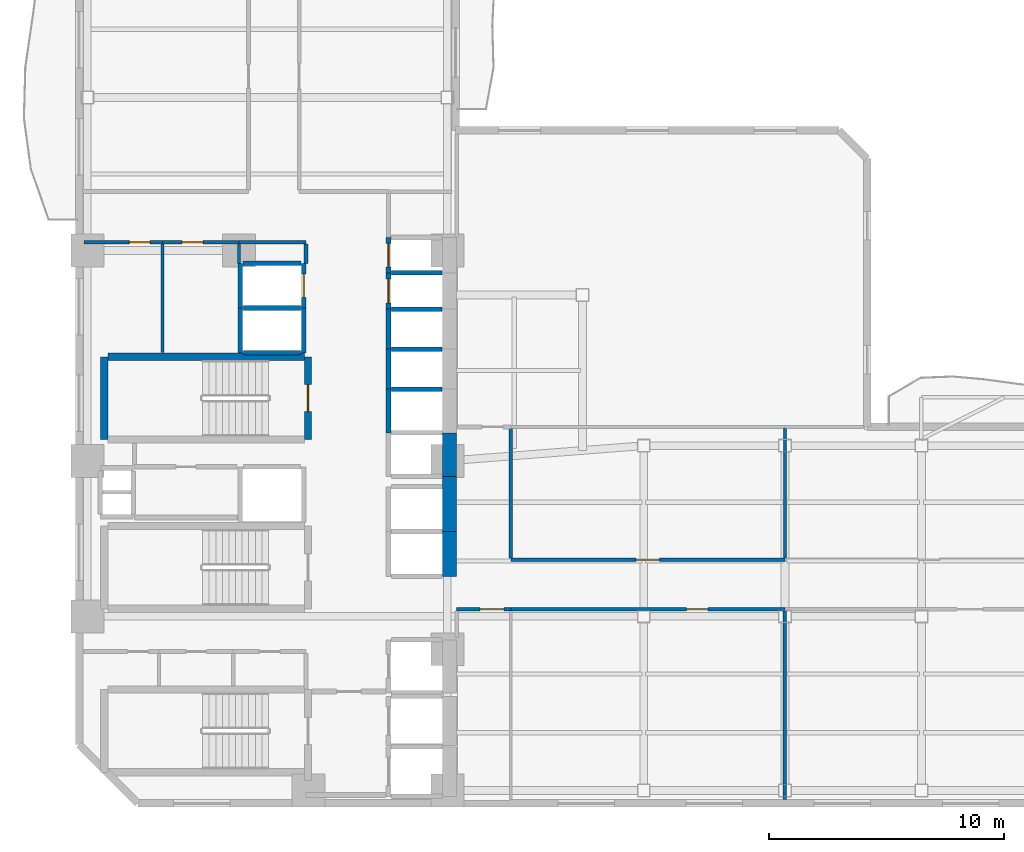
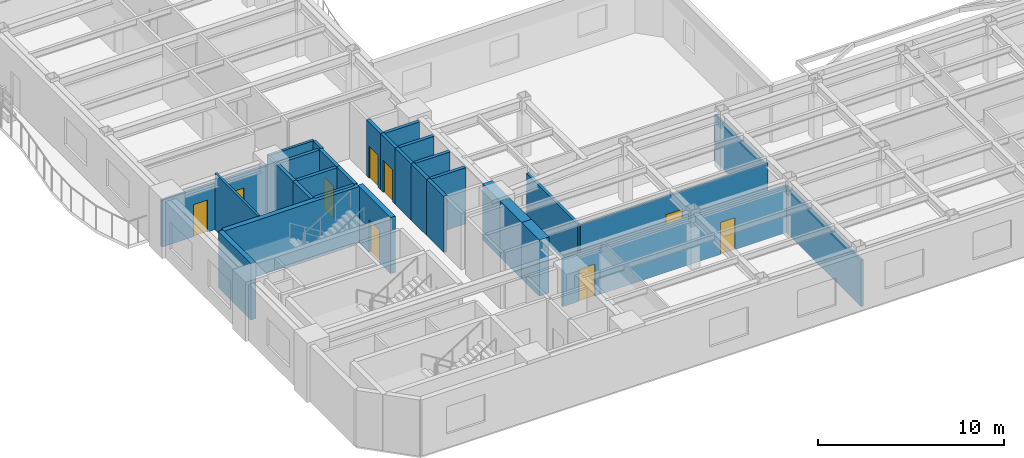
# One storey, part 4 of 10: 34 walls, 9 doors, 9 openings.
"""IFC4 building model written with IfcOpenShell, lengths in metres."""

from ifc_helpers import new_model, si_unit, direction, frame, frame_2d, origin, place, context, subcontext, project, spatial, rectangle, extrude, material, layer, layer_set, type_object, element, fill, save


model = new_model("IFC4")

# Units and contexts
model_context = context("Model", 3, precision=1e-05, world=origin(), true_north=direction((0.0, 1.0)))
body_context = subcontext(model_context, "Body", "Model", "MODEL_VIEW")
ifc_project = project(units=[si_unit("LENGTHUNIT", "METRE"), si_unit("AREAUNIT", "SQUARE_METRE"), si_unit("VOLUMEUNIT", "CUBIC_METRE"), si_unit("PLANEANGLEUNIT", "RADIAN"), si_unit("MASSUNIT", "GRAM", prefix="KILO")], contexts=[model_context])

# Site, building, storey
site_placement = place(None, origin())
site = spatial("IfcSite", under=ifc_project, at=site_placement, CompositionType="ELEMENT")
building_placement = place(site_placement, origin())
building = spatial("IfcBuilding", under=site, at=building_placement, Name="Mawjaban Terraces University", CompositionType="ELEMENT")
storey_placement = place(building_placement, frame((0.0, 0.0, 34.89990234375)))
storey = spatial("IfcBuildingStorey", under=building, at=storey_placement, Name="L07", CompositionType="ELEMENT", Elevation=34.89990234375)

# Walls
ifc_material_1 = material(Name="Concrete C70/85", Category="concrete")
ifc_layer_1 = layer(ifc_material_1, 0.60009765625)
ifc_layer_set_1 = layer_set([ifc_layer_1], Name="Concrete C70/85")
wall_type_1 = type_object("IfcWallType", Name="CoreShearWall_600", PredefinedType="SHEAR", material=ifc_layer_set_1)
wall_1_placement = place(storey_placement, frame((37.75, 9.64990234375, 0.0), z_axis=(0.0, 0.0, 1.0), x_axis=(0.0, 1.0, 0.0)))
element("IfcWall", 1, at=wall_1_placement, inside=storey, type_object=wall_type_1, Name="L07 Lift PL-H1 Hoistway Wall East", PredefinedType="SHEAR", context=body_context, shape_type="SweptSolid", body=[
    extrude(rectangle(XDim=1.900146484375, YDim=0.60009765625, at=frame_2d((0.9501953125, 0.0))), origin(), (0.0, 0.0, 1.0), 3.690185546875),
])
wall_2_placement = place(storey_placement, frame((37.75, 11.550048828125, 0.0), z_axis=(0.0, 0.0, 1.0), x_axis=(0.0, 1.0, 0.0)))
element("IfcWall", 2, at=wall_2_placement, inside=storey, type_object=wall_type_1, Name="L07 Lift PL-H2 Hoistway Wall East", PredefinedType="SHEAR", context=body_context, shape_type="SweptSolid", body=[
    extrude(rectangle(XDim=2.349853515625, YDim=0.60009765625, at=frame_2d((1.1748046875, 0.0))), origin(), (0.0, 0.0, 1.0), 3.690185546875),
])
wall_3_placement = place(storey_placement, frame((37.75, 13.89990234375, 0.0), z_axis=(0.0, 0.0, 1.0), x_axis=(0.0, 1.0, 0.0)))
element("IfcWall", 3, at=wall_3_placement, inside=storey, type_object=wall_type_1, Name="L07 Lift OL-1 Hoistway Wall East", PredefinedType="SHEAR", context=body_context, shape_type="SweptSolid", body=[
    extrude(rectangle(XDim=1.85009765625, YDim=0.60009765625, at=frame_2d((0.925048828125, 0.0))), origin(), (0.0, 0.0, 1.0), 3.690185546875),
])

# Wall, opening, door
ifc_material_2 = material(Name="Fire-rated gypsum board on steel stud", Category="steel")
ifc_layer_2 = layer(ifc_material_2, 0.159912109375)
ifc_layer_set_2 = layer_set([ifc_layer_2], Name="Fire-rated gypsum board on steel stud")
wall_type_2 = type_object("IfcWallType", Name="CorridorPartition_160", PredefinedType="PARTITIONING", material=ifc_layer_set_2)
wall_4_placement = place(storey_placement, frame((25.550048828125, 23.85009765625, 0.0), z_axis=(0.0, 0.0, 1.0), x_axis=(-1.0, 0.0, 0.0)))
wall_4 = element("IfcWall", 4, at=wall_4_placement, inside=storey, type_object=wall_type_2, Name="L07 Ablution Room Partition 5", PredefinedType="PARTITIONING", context=body_context, shape_type="SweptSolid", body=[
    extrude(rectangle(XDim=3.35009765625, YDim=0.159912109375, at=frame_2d((1.675048828125, 0.0))), origin(), (0.0, 0.0, 1.0), 3.05517578125),
])
opening_1_placement = place(wall_4_placement, frame((0.534912109375, 0.0, 0.0)))
opening_1 = element("IfcOpeningElement", 5, at=opening_1_placement, cuts=wall_4, Name="Opening ID-088", PredefinedType="OPENING", context=body_context, shape_type="SweptSolid", body=[
    extrude(rectangle(XDim=0.8798828125, YDim=2.10009765625, at=frame_2d((0.43994140625, 1.050048828125))), frame((0.0, 0.08984375, 0.0), z_axis=(0.0, -1.0, 0.0), x_axis=(1.0, 0.0, 0.0)), (0.0, 0.0, 1.0), 0.179931640625),
])
ifc_material_3 = material(Name="Powder-coated steel frame and solid acoustic timber leaf", Category="steel")
door_type_1 = type_object("IfcDoorType", Name="ToiletDoor_880x2100", OperationType="NOTDEFINED", PredefinedType="DOOR", material=ifc_material_3)
door_1_placement = place(opening_1_placement, origin())
door_1 = element("IfcDoor", 6, at=door_1_placement, inside=storey, type_object=door_type_1, Name="L07 Ablution Room Door", OperationType="SINGLE_SWING_RIGHT", OverallHeight=2.10009765625, OverallWidth=0.8798828125, PredefinedType="DOOR", context=body_context, shape_type="SweptSolid", body=[
    extrude(rectangle(XDim=0.8798828125, YDim=2.10009765625, at=frame_2d((0.43994140625, 1.050048828125))), frame((0.0, 0.02490234375, 0.0), z_axis=(0.0, -1.0, 0.0), x_axis=(1.0, 0.0, 0.0)), (0.0, 0.0, 1.0), 0.050048828125),
])
fill(opening_1, door_1)

wall_5_placement = place(storey_placement, frame((28.800048828125, 23.85009765625, 0.0), z_axis=(0.0, 0.0, 1.0), x_axis=(-1.0, 0.0, 0.0)))
wall_5 = element("IfcWall", 7, at=wall_5_placement, inside=storey, type_object=wall_type_2, Name="L07 Cleaner Store Partition 7", PredefinedType="PARTITIONING", context=body_context, shape_type="SweptSolid", body=[
    extrude(rectangle(XDim=3.25, YDim=0.159912109375, at=frame_2d((1.625, 0.0))), origin(), (0.0, 0.0, 1.0), 3.05517578125),
])
opening_2_placement = place(wall_5_placement, frame((1.52490234375, 0.0, 0.0)))
opening_2 = element("IfcOpeningElement", 8, at=opening_2_placement, cuts=wall_5, Name="Opening ID-090", PredefinedType="OPENING", context=body_context, shape_type="SweptSolid", body=[
    extrude(rectangle(XDim=0.89990234375, YDim=2.10009765625, at=frame_2d((0.449951171875, 1.050048828125))), frame((0.0, 0.08984375, 0.0), z_axis=(0.0, -1.0, 0.0), x_axis=(1.0, 0.0, 0.0)), (0.0, 0.0, 1.0), 0.179931640625),
])
door_type_2 = type_object("IfcDoorType", Name="OfficeDoor_900x2100", OperationType="NOTDEFINED", PredefinedType="DOOR", material=ifc_material_3)
door_2_placement = place(opening_2_placement, origin())
door_2 = element("IfcDoor", 9, at=door_2_placement, inside=storey, type_object=door_type_2, Name="L07 Cleaner Store Door", OperationType="SINGLE_SWING_LEFT", OverallHeight=2.10009765625, OverallWidth=0.89990234375, PredefinedType="DOOR", context=body_context, shape_type="SweptSolid", body=[
    extrude(rectangle(XDim=0.89990234375, YDim=2.10009765625, at=frame_2d((0.449951171875, 1.050048828125))), frame((0.0, 0.02490234375, 0.0), z_axis=(0.0, -1.0, 0.0), x_axis=(1.0, 0.0, 0.0)), (0.0, 0.0, 1.0), 0.050048828125),
])
fill(opening_2, door_2)

# Wall
wall_6_placement = place(storey_placement, frame((28.800048828125, 23.85009765625, 0.0), z_axis=(0.0, 0.0, 1.0), x_axis=(1.0, 0.0, 0.0)))
element("IfcWall", 10, at=wall_6_placement, inside=storey, type_object=wall_type_2, Name="L07 North Core Cross-Corridor Partition 8", PredefinedType="PARTITIONING", context=body_context, shape_type="SweptSolid", body=[
    extrude(rectangle(XDim=2.849853515625, YDim=0.159912109375, at=frame_2d((1.4248046875, 0.0))), origin(), (0.0, 0.0, 1.0), 3.690185546875),
])

# Wall, opening, door
wall_7_placement = place(storey_placement, frame((38.050048828125, 8.25, 0.0), z_axis=(0.0, 0.0, 1.0), x_axis=(1.0, 0.0, 0.0)))
wall_7 = element("IfcWall", 11, at=wall_7_placement, inside=storey, type_object=wall_type_2, Name="L07 East Academic Corridor Vestibule Partition 18", PredefinedType="PARTITIONING", context=body_context, shape_type="SweptSolid", body=[
    extrude(rectangle(XDim=2.300048828125, YDim=0.159912109375, at=frame_2d((1.14990234375, 0.0))), origin(), (0.0, 0.0, 1.0), 3.05517578125),
])
opening_3_placement = place(wall_7_placement, frame((1.0, 0.0, 0.0)))
opening_3 = element("IfcOpeningElement", 12, at=opening_3_placement, cuts=wall_7, Name="Opening ID-100", PredefinedType="OPENING", context=body_context, shape_type="SweptSolid", body=[
    extrude(rectangle(XDim=1.0, YDim=2.10009765625, at=frame_2d((0.5, 1.050048828125))), frame((0.0, 0.08984375, 0.0), z_axis=(0.0, -1.0, 0.0), x_axis=(1.0, 0.0, 0.0)), (0.0, 0.0, 1.0), 0.179931640625),
])
door_type_3 = type_object("IfcDoorType", Name="ClassroomDoor_1000x2100", OperationType="NOTDEFINED", PredefinedType="DOOR", material=ifc_material_3)
door_3_placement = place(opening_3_placement, origin())
door_3 = element("IfcDoor", 13, at=door_3_placement, inside=storey, type_object=door_type_3, Name="L07 Classroom 1 Door", OperationType="SINGLE_SWING_RIGHT", OverallHeight=2.10009765625, OverallWidth=1.0, PredefinedType="DOOR", context=body_context, shape_type="SweptSolid", body=[
    extrude(rectangle(XDim=1.0, YDim=2.10009765625, at=frame_2d((0.5, 1.050048828125))), frame((0.0, 0.02490234375, 0.0), z_axis=(0.0, -1.0, 0.0), x_axis=(1.0, 0.0, 0.0)), (0.0, 0.0, 1.0), 0.050048828125),
])
fill(opening_3, door_3)

wall_8_placement = place(storey_placement, frame((40.35009765625, 8.25, 0.0), z_axis=(0.0, 0.0, 1.0), x_axis=(1.0, 0.0, 0.0)))
wall_8 = element("IfcWall", 14, at=wall_8_placement, inside=storey, type_object=wall_type_2, Name="L07 East Academic Spine Corridor Partition 19", PredefinedType="PARTITIONING", context=body_context, shape_type="SweptSolid", body=[
    extrude(rectangle(XDim=11.64990234375, YDim=0.159912109375, at=frame_2d((5.824951171875, 0.0))), origin(), (0.0, 0.0, 1.0), 3.05517578125),
])
opening_4_placement = place(wall_8_placement, frame((7.47509765625, 0.0, 0.0)))
opening_4 = element("IfcOpeningElement", 15, at=opening_4_placement, cuts=wall_8, Name="Opening ID-090", PredefinedType="OPENING", context=body_context, shape_type="SweptSolid", body=[
    extrude(rectangle(XDim=0.89990234375, YDim=2.10009765625, at=frame_2d((0.449951171875, 1.050048828125))), frame((0.0, 0.08984375, 0.0), z_axis=(0.0, -1.0, 0.0), x_axis=(1.0, 0.0, 0.0)), (0.0, 0.0, 1.0), 0.179931640625),
])
door_4_placement = place(opening_4_placement, origin())
door_4 = element("IfcDoor", 16, at=door_4_placement, inside=storey, type_object=door_type_2, Name="L07 Seminar Room 2 Door", OperationType="SINGLE_SWING_LEFT", OverallHeight=2.10009765625, OverallWidth=0.89990234375, PredefinedType="DOOR", context=body_context, shape_type="SweptSolid", body=[
    extrude(rectangle(XDim=0.89990234375, YDim=2.10009765625, at=frame_2d((0.449951171875, 1.050048828125))), frame((0.0, 0.02490234375, 0.0), z_axis=(0.0, -1.0, 0.0), x_axis=(1.0, 0.0, 0.0)), (0.0, 0.0, 1.0), 0.050048828125),
])
fill(opening_4, door_4)

wall_9_placement = place(storey_placement, frame((52.0, 10.35009765625, 0.0), z_axis=(0.0, 0.0, 1.0), x_axis=(-1.0, 0.0, 0.0)))
wall_9 = element("IfcWall", 17, at=wall_9_placement, inside=storey, type_object=wall_type_2, Name="L07 East Academic Spine Corridor Partition 22", PredefinedType="PARTITIONING", context=body_context, shape_type="SweptSolid", body=[
    extrude(rectangle(XDim=11.64990234375, YDim=0.159912109375, at=frame_2d((5.824951171875, 0.0))), origin(), (0.0, 0.0, 1.0), 3.277099609375),
])
opening_5_placement = place(wall_9_placement, frame((5.324951171875, 0.0, 0.0)))
opening_5 = element("IfcOpeningElement", 18, at=opening_5_placement, cuts=wall_9, Name="Opening ID-100", PredefinedType="OPENING", context=body_context, shape_type="SweptSolid", body=[
    extrude(rectangle(XDim=1.0, YDim=2.10009765625, at=frame_2d((0.5, 1.050048828125))), frame((0.0, 0.08984375, 0.0), z_axis=(0.0, -1.0, 0.0), x_axis=(1.0, 0.0, 0.0)), (0.0, 0.0, 1.0), 0.179931640625),
])
door_5_placement = place(opening_5_placement, origin())
door_5 = element("IfcDoor", 19, at=door_5_placement, inside=storey, type_object=door_type_3, Name="L07 Classroom 3 Door", OperationType="SINGLE_SWING_RIGHT", OverallHeight=2.10009765625, OverallWidth=1.0, PredefinedType="DOOR", context=body_context, shape_type="SweptSolid", body=[
    extrude(rectangle(XDim=1.0, YDim=2.10009765625, at=frame_2d((0.5, 1.050048828125))), frame((0.0, 0.02490234375, 0.0), z_axis=(0.0, -1.0, 0.0), x_axis=(1.0, 0.0, 0.0)), (0.0, 0.0, 1.0), 0.050048828125),
])
fill(opening_5, door_5)

# Walls
wall_10_placement = place(storey_placement, frame((31.64990234375, 23.77490234375, 0.0), z_axis=(0.0, 0.0, 1.0), x_axis=(0.0, -1.0, 0.0)))
element("IfcWall", 20, at=wall_10_placement, inside=storey, type_object=wall_type_2, Name="L07 Passenger Lift Lobby Partition 40", PredefinedType="PARTITIONING", context=body_context, shape_type="SweptSolid", body=[
    extrude(rectangle(XDim=0.824951171875, YDim=0.159912109375, at=frame_2d((0.41259765625, 0.0))), origin(), (0.0, 0.0, 1.0), 3.690185546875),
])
wall_11_placement = place(storey_placement, frame((40.35009765625, 10.425048828125, 0.0), z_axis=(0.0, 0.0, 1.0), x_axis=(0.0, 1.0, 0.0)))
element("IfcWall", 21, at=wall_11_placement, inside=storey, type_object=wall_type_2, Name="L07 East Academic Corridor Vestibule Partition 45", PredefinedType="PARTITIONING", context=body_context, shape_type="SweptSolid", body=[
    extrude(rectangle(XDim=5.5, YDim=0.159912109375, at=frame_2d((2.75, 0.0))), origin(), (0.0, 0.0, 1.0), 3.277099609375),
])
ifc_material_4 = material(Name="Concrete C40/50", Category="concrete")
ifc_layer_3 = layer(ifc_material_4, 0.199951171875)
ifc_layer_set_3 = layer_set([ifc_layer_3], Name="Concrete C40/50")
wall_type_3 = type_object("IfcWallType", Name="FireLobbyWall_200", PredefinedType="SOLIDWALL", material=ifc_layer_set_3)
wall_12_placement = place(storey_placement, frame((35.14990234375, 17.60009765625, 0.0), z_axis=(0.0, 0.0, 1.0), x_axis=(0.0, -1.0, 0.0)))
element("IfcWall", 22, at=wall_12_placement, inside=storey, type_object=wall_type_3, Name="L07 Lift OL-2 Hoistway Wall West", PredefinedType="SOLIDWALL", context=body_context, shape_type="SweptSolid", body=[
    extrude(rectangle(XDim=1.85009765625, YDim=0.199951171875, at=frame_2d((0.925048828125, 0.0))), origin(), (0.0, 0.0, 1.0), 3.690185546875),
])
wall_13_placement = place(storey_placement, frame((37.419921875, 17.60009765625, 0.0), z_axis=(0.0, 0.0, 1.0), x_axis=(-1.0, 0.0, 0.0)))
element("IfcWall", 23, at=wall_13_placement, inside=storey, type_object=wall_type_3, Name="L07 Lift OL-2 Hoistway Wall North", PredefinedType="SOLIDWALL", context=body_context, shape_type="SweptSolid", body=[
    extrude(rectangle(XDim=2.139892578125, YDim=0.199951171875, at=frame_2d((1.06982421875, 0.0))), origin(), (0.0, 0.0, 1.0), 3.690185546875),
])
wall_14_placement = place(storey_placement, frame((35.14990234375, 19.300048828125, 0.0), z_axis=(0.0, 0.0, 1.0), x_axis=(0.0, -1.0, 0.0)))
element("IfcWall", 24, at=wall_14_placement, inside=storey, type_object=wall_type_3, Name="L07 Lift PL-M1 Hoistway Wall West", PredefinedType="SOLIDWALL", context=body_context, shape_type="SweptSolid", body=[
    extrude(rectangle(XDim=1.699951171875, YDim=0.199951171875, at=frame_2d((0.85009765625, 0.0))), origin(), (0.0, 0.0, 1.0), 3.690185546875),
])
wall_15_placement = place(storey_placement, frame((37.419921875, 19.300048828125, 0.0), z_axis=(0.0, 0.0, 1.0), x_axis=(-1.0, 0.0, 0.0)))
element("IfcWall", 25, at=wall_15_placement, inside=storey, type_object=wall_type_3, Name="L07 Lift PL-M1 Hoistway Wall North", PredefinedType="SOLIDWALL", context=body_context, shape_type="SweptSolid", body=[
    extrude(rectangle(XDim=2.139892578125, YDim=0.199951171875, at=frame_2d((1.06982421875, 0.0))), origin(), (0.0, 0.0, 1.0), 3.690185546875),
])
wall_16_placement = place(storey_placement, frame((35.14990234375, 21.0, 0.0), z_axis=(0.0, 0.0, 1.0), x_axis=(0.0, -1.0, 0.0)))
element("IfcWall", 26, at=wall_16_placement, inside=storey, type_object=wall_type_3, Name="L07 Lift PL-M2 Hoistway Wall West", PredefinedType="SOLIDWALL", context=body_context, shape_type="SweptSolid", body=[
    extrude(rectangle(XDim=1.699951171875, YDim=0.199951171875, at=frame_2d((0.85009765625, 0.0))), origin(), (0.0, 0.0, 1.0), 3.690185546875),
])
wall_17_placement = place(storey_placement, frame((37.419921875, 21.0, 0.0), z_axis=(0.0, 0.0, 1.0), x_axis=(-1.0, 0.0, 0.0)))
element("IfcWall", 27, at=wall_17_placement, inside=storey, type_object=wall_type_3, Name="L07 Lift PL-M2 Hoistway Wall North", PredefinedType="SOLIDWALL", context=body_context, shape_type="SweptSolid", body=[
    extrude(rectangle(XDim=2.139892578125, YDim=0.199951171875, at=frame_2d((1.06982421875, 0.0))), origin(), (0.0, 0.0, 1.0), 3.690185546875),
])
for number, where, z_axis, x_axis, name in (
    (28, (28.85009765625, 21.050048828125, 0.0), (0.0, 0.0, 1.0), (0.0, -1.0, 0.0), "L07 Lift PL-M3 Hoistway Wall West"),
    (29, (31.550048828125, 19.14990234375, 0.0), (0.0, 0.0, 1.0), (0.0, 1.0, 0.0), "L07 Lift PL-M3 Hoistway Wall East"),
):
    element("IfcWall", number, at=place(storey_placement, frame(where, z_axis=z_axis, x_axis=x_axis)), inside=storey, type_object=wall_type_3, Name=name, PredefinedType="SOLIDWALL", context=body_context, shape_type="SweptSolid", body=[
        extrude(rectangle(XDim=1.900146484375, YDim=0.199951171875, at=frame_2d((0.9501953125, 0.0))), origin(), (0.0, 0.0, 1.0), 3.690185546875),
    ])
for number, where, z_axis, x_axis, name in (
    (30, (28.97998046875, 19.14990234375, 0.0), (0.0, 0.0, 1.0), (1.0, 0.0, 0.0), "L07 Lift PL-M3 Hoistway Wall South"),
    (31, (31.419921875, 21.050048828125, 0.0), (0.0, 0.0, 1.0), (-1.0, 0.0, 0.0), "L07 Lift PL-M3 Hoistway Wall North"),
):
    element("IfcWall", number, at=place(storey_placement, frame(where, z_axis=z_axis, x_axis=x_axis)), inside=storey, type_object=wall_type_3, Name=name, PredefinedType="SOLIDWALL", context=body_context, shape_type="SweptSolid", body=[
        extrude(rectangle(XDim=2.43994140625, YDim=0.199951171875, at=frame_2d((1.219970703125, 0.0))), origin(), (0.0, 0.0, 1.0), 3.690185546875),
    ])

# Wall, opening, door
wall_18_placement = place(storey_placement, frame((35.14990234375, 22.550048828125, 0.0), z_axis=(0.0, 0.0, 1.0), x_axis=(0.0, -1.0, 0.0)))
wall_18 = element("IfcWall", 32, at=wall_18_placement, inside=storey, type_object=wall_type_3, Name="L07 Lift PL-L1 Hoistway Wall West", PredefinedType="SOLIDWALL", context=body_context, shape_type="SweptSolid", body=[
    extrude(rectangle(XDim=1.550048828125, YDim=0.199951171875, at=frame_2d((0.77490234375, 0.0))), origin(), (0.0, 0.0, 1.0), 3.690185546875),
])
opening_6_placement = place(wall_18_placement, frame((0.27490234375, 0.0, 0.0)))
opening_6 = element("IfcOpeningElement", 33, at=opening_6_placement, cuts=wall_18, Name="Opening LD-PL-L1", PredefinedType="OPENING", context=body_context, shape_type="SweptSolid", body=[
    extrude(rectangle(XDim=1.0, YDim=2.10009765625, at=frame_2d((0.5, 1.050048828125))), frame((0.0, 0.10986328125, 0.0), z_axis=(0.0, -1.0, 0.0), x_axis=(1.0, 0.0, 0.0)), (0.0, 0.0, 1.0), 0.219970703125),
])
ifc_material_5 = material(Name="Powder-coated steel frame and fire-rated steel-faced leaf", Category="steel")
door_type_4 = type_object("IfcDoorType", Name="LiftLandingSliding_1000x2100", OperationType="NOTDEFINED", PredefinedType="DOOR", material=ifc_material_5)
door_6_placement = place(opening_6_placement, origin())
door_6 = element("IfcDoor", 34, at=door_6_placement, inside=storey, type_object=door_type_4, Name="L07 Lift PL-L1 Sliding Landing Door", OperationType="DOUBLE_DOOR_SLIDING", OverallHeight=2.10009765625, OverallWidth=1.0, PredefinedType="DOOR", context=body_context, shape_type="SweptSolid", body=[
    extrude(rectangle(XDim=1.0, YDim=2.10009765625, at=frame_2d((0.5, 1.050048828125))), frame((0.0, 0.02490234375, 0.0), z_axis=(0.0, -1.0, 0.0), x_axis=(1.0, 0.0, 0.0)), (0.0, 0.0, 1.0), 0.050048828125),
])
fill(opening_6, door_6)

# Wall
wall_19_placement = place(storey_placement, frame((37.419921875, 22.550048828125, 0.0), z_axis=(0.0, 0.0, 1.0), x_axis=(-1.0, 0.0, 0.0)))
element("IfcWall", 35, at=wall_19_placement, inside=storey, type_object=wall_type_3, Name="L07 Lift PL-L1 Hoistway Wall North", PredefinedType="SOLIDWALL", context=body_context, shape_type="SweptSolid", body=[
    extrude(rectangle(XDim=2.139892578125, YDim=0.199951171875, at=frame_2d((1.06982421875, 0.0))), origin(), (0.0, 0.0, 1.0), 3.690185546875),
])

# Wall, opening, door
wall_20_placement = place(storey_placement, frame((35.14990234375, 24.050048828125, 0.0), z_axis=(0.0, 0.0, 1.0), x_axis=(0.0, -1.0, 0.0)))
wall_20 = element("IfcWall", 36, at=wall_20_placement, inside=storey, type_object=wall_type_3, Name="L07 Lift PL-L2 Hoistway Wall West", PredefinedType="SOLIDWALL", context=body_context, shape_type="SweptSolid", body=[
    extrude(rectangle(XDim=1.5, YDim=0.199951171875, at=frame_2d((0.75, 0.0))), origin(), (0.0, 0.0, 1.0), 3.690185546875),
])
opening_7_placement = place(wall_20_placement, frame((0.25, 0.0, 0.0)))
opening_7 = element("IfcOpeningElement", 37, at=opening_7_placement, cuts=wall_20, Name="Opening LD-PL-L2", PredefinedType="OPENING", context=body_context, shape_type="SweptSolid", body=[
    extrude(rectangle(XDim=1.0, YDim=2.10009765625, at=frame_2d((0.5, 1.050048828125))), frame((0.0, 0.10986328125, 0.0), z_axis=(0.0, -1.0, 0.0), x_axis=(1.0, 0.0, 0.0)), (0.0, 0.0, 1.0), 0.219970703125),
])
door_7_placement = place(opening_7_placement, origin())
door_7 = element("IfcDoor", 38, at=door_7_placement, inside=storey, type_object=door_type_4, Name="L07 Lift PL-L2 Sliding Landing Door", OperationType="DOUBLE_DOOR_SLIDING", OverallHeight=2.10009765625, OverallWidth=1.0, PredefinedType="DOOR", context=body_context, shape_type="SweptSolid", body=[
    extrude(rectangle(XDim=1.0, YDim=2.10009765625, at=frame_2d((0.5, 1.050048828125))), frame((0.0, 0.02490234375, 0.0), z_axis=(0.0, -1.0, 0.0), x_axis=(1.0, 0.0, 0.0)), (0.0, 0.0, 1.0), 0.050048828125),
])
fill(opening_7, door_7)

# Wall
wall_21_placement = place(storey_placement, frame((28.85009765625, 22.949951171875, 0.0), z_axis=(0.0, 0.0, 1.0), x_axis=(0.0, -1.0, 0.0)))
element("IfcWall", 39, at=wall_21_placement, inside=storey, type_object=wall_type_3, Name="L07 Lift PL-L3 Hoistway Wall West", PredefinedType="SOLIDWALL", context=body_context, shape_type="SweptSolid", body=[
    extrude(rectangle(XDim=1.89990234375, YDim=0.199951171875, at=frame_2d((0.949951171875, 0.0))), origin(), (0.0, 0.0, 1.0), 3.690185546875),
])

# Wall, opening, door
wall_22_placement = place(storey_placement, frame((31.550048828125, 21.050048828125, 0.0), z_axis=(0.0, 0.0, 1.0), x_axis=(0.0, 1.0, 0.0)))
wall_22 = element("IfcWall", 40, at=wall_22_placement, inside=storey, type_object=wall_type_3, Name="L07 Lift PL-L3 Hoistway Wall East", PredefinedType="SOLIDWALL", context=body_context, shape_type="SweptSolid", body=[
    extrude(rectangle(XDim=1.89990234375, YDim=0.199951171875, at=frame_2d((0.949951171875, 0.0))), origin(), (0.0, 0.0, 1.0), 3.690185546875),
])
opening_8_placement = place(wall_22_placement, frame((0.449951171875, 0.0, 0.0)))
opening_8 = element("IfcOpeningElement", 41, at=opening_8_placement, cuts=wall_22, Name="Opening LD-PL-L3", PredefinedType="OPENING", context=body_context, shape_type="SweptSolid", body=[
    extrude(rectangle(XDim=1.0, YDim=2.10009765625, at=frame_2d((0.5, 1.050048828125))), frame((0.0, 0.10986328125, 0.0), z_axis=(0.0, -1.0, 0.0), x_axis=(1.0, 0.0, 0.0)), (0.0, 0.0, 1.0), 0.219970703125),
])
door_8_placement = place(opening_8_placement, origin())
door_8 = element("IfcDoor", 42, at=door_8_placement, inside=storey, type_object=door_type_4, Name="L07 Lift PL-L3 Sliding Landing Door", OperationType="DOUBLE_DOOR_SLIDING", OverallHeight=2.10009765625, OverallWidth=1.0, PredefinedType="DOOR", context=body_context, shape_type="SweptSolid", body=[
    extrude(rectangle(XDim=1.0, YDim=2.10009765625, at=frame_2d((0.5, 1.050048828125))), frame((0.0, 0.02490234375, 0.0), z_axis=(0.0, -1.0, 0.0), x_axis=(1.0, 0.0, 0.0)), (0.0, 0.0, 1.0), 0.050048828125),
])
fill(opening_8, door_8)

# Walls
wall_23_placement = place(storey_placement, frame((31.429931640625, 22.949951171875, 0.0), z_axis=(0.0, 0.0, 1.0), x_axis=(-1.0, 0.0, 0.0)))
element("IfcWall", 43, at=wall_23_placement, inside=storey, type_object=wall_type_3, Name="L07 Lift PL-L3 Hoistway Wall North", PredefinedType="SOLIDWALL", context=body_context, shape_type="SweptSolid", body=[
    extrude(rectangle(XDim=2.4599609375, YDim=0.199951171875, at=frame_2d((1.22998046875, 0.0))), origin(), (0.0, 0.0, 1.0), 3.690185546875),
])
ifc_material_6 = material(Name="Moisture-resistant gypsum board on steel stud", Category="steel")
ifc_layer_4 = layer(ifc_material_6, 0.14501953125)
ifc_layer_set_4 = layer_set([ifc_layer_4], Name="Moisture-resistant gypsum board on steel stud")
wall_type_4 = type_object("IfcWallType", Name="LabPartition_145", PredefinedType="PARTITIONING", material=ifc_layer_set_4)
wall_24_placement = place(storey_placement, frame((52.0, 0.155029296875, 0.0), z_axis=(0.0, 0.0, 1.0), x_axis=(0.0, 1.0, 0.0)))
element("IfcWall", 44, at=wall_24_placement, inside=storey, type_object=wall_type_4, Name="L07 Seminar Room 2 Partition 46", PredefinedType="PARTITIONING", context=body_context, shape_type="SweptSolid", body=[
    extrude(rectangle(XDim=8.02001953125, YDim=0.14501953125, at=frame_2d((4.010009765625, 0.0))), origin(), (0.0, 0.0, 1.0), 3.05517578125),
])
ifc_material_7 = material(Name="Gypsum plasterboard on steel stud", Category="steel")
ifc_layer_5 = layer(ifc_material_7, 0.125)
ifc_layer_set_5 = layer_set([ifc_layer_5], Name="Gypsum plasterboard on steel stud")
wall_type_5 = type_object("IfcWallType", Name="OfficePartition_125", PredefinedType="PARTITIONING", material=ifc_layer_set_5)
wall_25_placement = place(storey_placement, frame((28.800048828125, 22.949951171875, 0.0), z_axis=(0.0, 0.0, 1.0), x_axis=(0.0, 1.0, 0.0)))
element("IfcWall", 45, at=wall_25_placement, inside=storey, type_object=wall_type_5, Name="L07 Cleaner Store Partition 32", PredefinedType="PARTITIONING", context=body_context, shape_type="SweptSolid", body=[
    extrude(rectangle(XDim=0.824951171875, YDim=0.125, at=frame_2d((0.41259765625, 0.0))), origin(), (0.0, 0.0, 1.0), 3.690185546875),
])
wall_26_placement = place(storey_placement, frame((52.0, 10.425048828125, 0.0), z_axis=(0.0, 0.0, 1.0), x_axis=(0.0, 1.0, 0.0)))
element("IfcWall", 46, at=wall_26_placement, inside=storey, type_object=wall_type_5, Name="L07 Classroom 3 Partition 47", PredefinedType="PARTITIONING", context=body_context, shape_type="SweptSolid", body=[
    extrude(rectangle(XDim=5.51806640625, YDim=0.125, at=frame_2d((2.759033203125, 0.0))), origin(), (0.0, 0.0, 1.0), 3.05517578125),
])
ifc_material_8 = material(Name="Concrete C60/75", Category="concrete")
ifc_layer_6 = layer(ifc_material_8, 0.300048828125)
ifc_layer_set_6 = layer_set([ifc_layer_6], Name="Concrete C60/75")
wall_type_6 = type_object("IfcWallType", Name="StairShaftWall_300", PredefinedType="SHEAR", material=ifc_layer_set_6)
wall_27_placement = place(storey_placement, frame((31.580078125, 18.97998046875, 0.0), z_axis=(0.0, 0.0, 1.0), x_axis=(-1.0, 0.0, 0.0)))
element("IfcWall", 47, at=wall_27_placement, inside=storey, type_object=wall_type_6, Name="L07 ST-2 Stair Shaft Wall 1", PredefinedType="SHEAR", context=body_context, shape_type="SweptSolid", body=[
    extrude(rectangle(XDim=8.360107421875, YDim=0.300048828125, at=frame_2d((4.18017578125, 0.0))), origin(), (0.0, 0.0, 1.0), 3.690185546875),
])
wall_28_placement = place(storey_placement, frame((23.070068359375, 18.97998046875, 0.0), z_axis=(0.0, 0.0, 1.0), x_axis=(0.0, -1.0, 0.0)))
element("IfcWall", 48, at=wall_28_placement, inside=storey, type_object=wall_type_6, Name="L07 ST-2 Stair Shaft Wall 2", PredefinedType="SHEAR", context=body_context, shape_type="SweptSolid", body=[
    extrude(rectangle(XDim=3.510009765625, YDim=0.300048828125, at=frame_2d((1.7548828125, 0.0))), origin(), (0.0, 0.0, 1.0), 3.690185546875),
])

# Wall, opening, door
wall_29_placement = place(storey_placement, frame((31.72998046875, 15.469970703125, 0.0), z_axis=(0.0, 0.0, 1.0), x_axis=(0.0, 1.0, 0.0)))
wall_29 = element("IfcWall", 49, at=wall_29_placement, inside=storey, type_object=wall_type_6, Name="L07 ST-2 Stair Shaft Wall 4", PredefinedType="SHEAR", context=body_context, shape_type="SweptSolid", body=[
    extrude(rectangle(XDim=3.510009765625, YDim=0.300048828125, at=frame_2d((1.7548828125, 0.0))), origin(), (0.0, 0.0, 1.0), 3.690185546875),
])
opening_9_placement = place(wall_29_placement, frame((1.179931640625, 0.0, 0.0)))
opening_9 = element("IfcOpeningElement", 50, at=opening_9_placement, cuts=wall_29, Name="Opening FD-115", PredefinedType="OPENING", context=body_context, shape_type="SweptSolid", body=[
    extrude(rectangle(XDim=1.14990234375, YDim=2.14990234375, at=frame_2d((0.574951171875, 1.074951171875))), frame((0.0, 0.159912109375, 0.0), z_axis=(0.0, -1.0, 0.0), x_axis=(1.0, 0.0, 0.0)), (0.0, 0.0, 1.0), 0.320068359375),
])
door_type_5 = type_object("IfcDoorType", Name="FireStairDoor_1150x2150", OperationType="NOTDEFINED", PredefinedType="DOOR", material=ifc_material_5)
door_9_placement = place(opening_9_placement, origin())
door_9 = element("IfcDoor", 51, at=door_9_placement, inside=storey, type_object=door_type_5, Name="L07 ST-2 Pressurised Stair Fire Door", OperationType="SINGLE_SWING_LEFT", OverallHeight=2.14990234375, OverallWidth=1.14990234375, PredefinedType="DOOR", context=body_context, shape_type="SweptSolid", body=[
    extrude(rectangle(XDim=1.14990234375, YDim=2.14990234375, at=frame_2d((0.574951171875, 1.074951171875))), frame((0.0, 0.02490234375, 0.0), z_axis=(0.0, -1.0, 0.0), x_axis=(1.0, 0.0, 0.0)), (0.0, 0.0, 1.0), 0.050048828125),
])
fill(opening_9, door_9)

# Wall
ifc_material_9 = material(Name="Cement-board wet-room partition", Category="masonry")
ifc_layer_7 = layer(ifc_material_9, 0.135009765625)
ifc_layer_set_7 = layer_set([ifc_layer_7], Name="Cement-board wet-room partition")
wall_type_7 = type_object("IfcWallType", Name="WetRoomPartition_135", PredefinedType="PARTITIONING", material=ifc_layer_set_7)
wall_30_placement = place(storey_placement, frame((25.550048828125, 19.159912109375, 0.0), z_axis=(0.0, 0.0, 1.0), x_axis=(0.0, 1.0, 0.0)))
element("IfcWall", 52, at=wall_30_placement, inside=storey, type_object=wall_type_7, Name="L07 Ablution Room Partition 30", PredefinedType="PARTITIONING", context=body_context, shape_type="SweptSolid", body=[
    extrude(rectangle(XDim=4.614990234375, YDim=0.135009765625, at=frame_2d((2.3076171875, 0.0))), origin(), (0.0, 0.0, 1.0), 3.690185546875),
])

save(model, "model.ifc")
